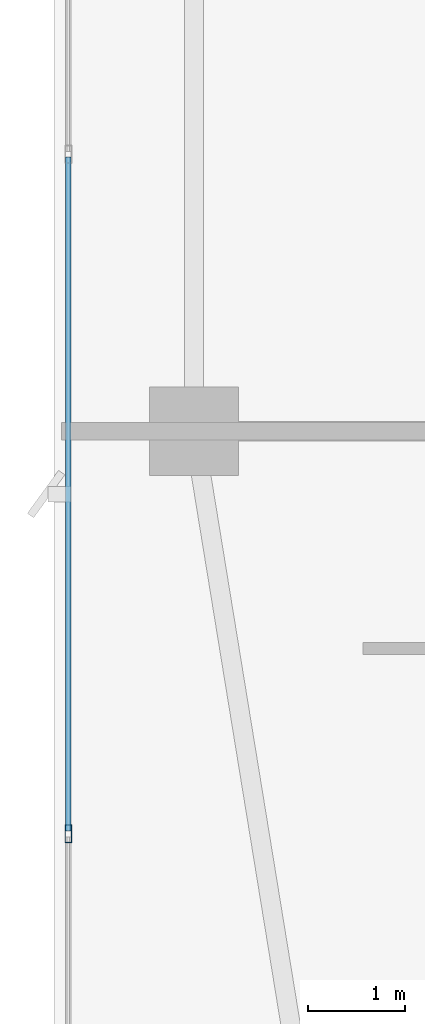
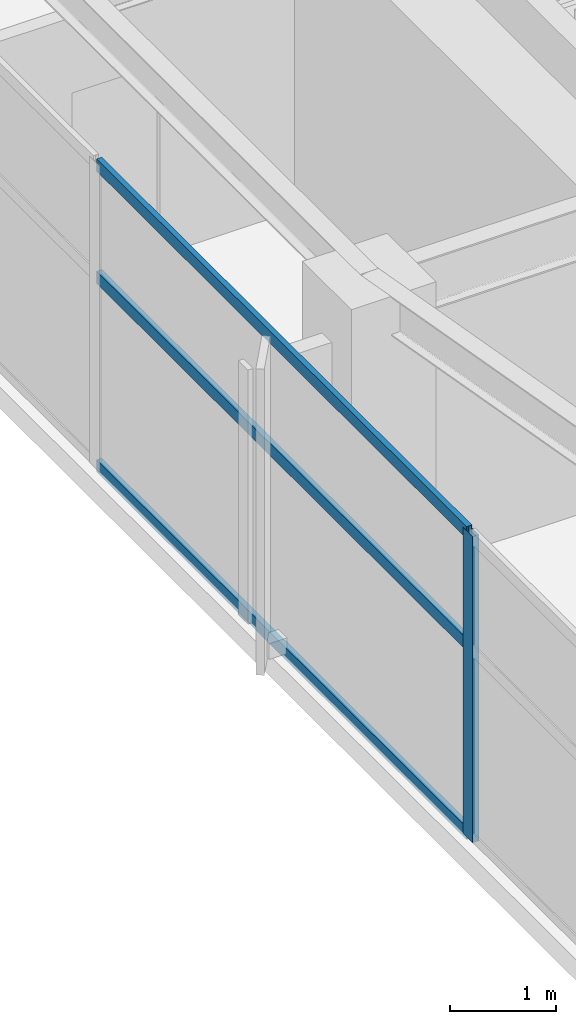
# One storey, part 4 of 27: 4 members, 1 element without a shape of its own.
"""IFC4 building model written with IfcOpenShell, lengths in metres."""

from ifc_helpers import new_model, si_unit, direction, frame, origin, origin_2d, place, context, subcontext, project, spatial, hollow_rectangle, extrude, material, layer, layer_set, material_profile, profile_set, type_object, element, aggregate, save


model = new_model("IFC4")

# Units and contexts
model_context = context("Model", 3, precision=1e-05, world=origin(), true_north=direction((0.0, 1.0)))
body_context = subcontext(model_context, "Body", "Model", "MODEL_VIEW")
ifc_project = project(units=[si_unit("LENGTHUNIT", "METRE"), si_unit("AREAUNIT", "SQUARE_METRE"), si_unit("VOLUMEUNIT", "CUBIC_METRE"), si_unit("PLANEANGLEUNIT", "RADIAN"), si_unit("MASSUNIT", "GRAM", prefix="KILO")], contexts=[model_context])

# Site, building, storey
site_placement = place(None, origin())
site = spatial("IfcSite", under=ifc_project, at=site_placement, CompositionType="ELEMENT")
building_placement = place(site_placement, origin())
building = spatial("IfcBuilding", under=site, at=building_placement, Name="Calvorn Quay Hotel", CompositionType="ELEMENT")
storey_placement = place(building_placement, frame((0.0, 0.0, 230.699951171875)))
storey = spatial("IfcBuildingStorey", under=building, at=storey_placement, Name="L57", CompositionType="ELEMENT", Elevation=230.699951171875)

# Curtain wall, members
ifc_material_1 = material(Name="Champagne Bronze Anodised Aluminium and Low-E Glass", Category="aluminium")
ifc_layer = layer(ifc_material_1, 0.219970703125)
ifc_layer_set = layer_set([ifc_layer], Name="CW-SYS-Z3")
curtain_wall_type = type_object("IfcCurtainWallType", Name="CW-SYS-Z3", PredefinedType="NOTDEFINED", material=ifc_layer_set)
curtain_wall_placement = place(storey_placement, origin())
curtain_wall = element("IfcCurtainWall", 1, at=curtain_wall_placement, inside=storey, type_object=curtain_wall_type, Name="Tower West Curtain Wall (L57)", PredefinedType="NOTDEFINED")
ifc_material_2 = material(Name="Champagne Bronze Anodised Aluminium 6063-T6", Category="aluminium")
ifc_material_profile_1 = material_profile(ifc_material_2, hollow_rectangle(XDim=0.068115234375, YDim=0.18505859375, WallThickness=0.00390625, at=origin_2d()), Name="ALU-M185x68x4")
ifc_profile_set_1 = profile_set([ifc_material_profile_1], Name="Champagne Bronze Anodised Aluminium 6063-T6")
member_type_1 = type_object("IfcMemberType", Name="CW-SYS-Z3-MUL", PredefinedType="MULLION", material=ifc_profile_set_1)
member_1_placement = place(storey_placement, frame((0.14990234375, 12.63330078125, 0.0), z_axis=(0.0, 0.0, 1.0), x_axis=(-1.0, 0.0, 0.0)))
member_1 = element("IfcMember", 2, at=member_1_placement, type_object=member_type_1, Name="CW-L57-W mullion 2", PredefinedType="MULLION", context=body_context, shape_type="SweptSolid", body=[
    extrude(hollow_rectangle(XDim=0.068115234375, YDim=0.18505859375, WallThickness=0.00390625, at=origin_2d()), origin(), (0.0, 0.0, 1.0), 3.52001953125),
])
ifc_material_3 = material(Name="Champagne Bronze Anodised Aluminium 6063-T6", Category="aluminium")
ifc_material_profile_2 = material_profile(ifc_material_3, hollow_rectangle(XDim=0.05810546875, YDim=0.139892578125, WallThickness=0.003173828125, at=origin_2d()), Name="ALU-T140x58x3.2")
ifc_profile_set_2 = profile_set([ifc_material_profile_2], Name="Champagne Bronze Anodised Aluminium 6063-T6")
member_type_2 = type_object("IfcMemberType", Name="CW-SYS-Z3-TRN", PredefinedType="USERDEFINED", material=ifc_profile_set_2)
member_2_placement = place(storey_placement, frame((0.14990234375, 12.663330078125, 0.030029296875), z_axis=(0.0, 1.0, 0.0), x_axis=(-1.0, 0.0, 0.0)))
member_2 = element("IfcMember", 3, at=member_2_placement, type_object=member_type_2, Name="CW-L57-W transom 2.1", ObjectType="TRANSOM", PredefinedType="USERDEFINED", context=body_context, shape_type="SweptSolid", body=[
    extrude(hollow_rectangle(XDim=0.05810546875, YDim=0.139892578125, WallThickness=0.003173828125, at=origin_2d()), origin(), (0.0, 0.0, 1.0), 6.973388671875),
])
member_3_placement = place(storey_placement, frame((0.14990234375, 12.663330078125, 2.199951171875), z_axis=(0.0, 1.0, 0.0), x_axis=(-1.0, 0.0, 0.0)))
member_3 = element("IfcMember", 4, at=member_3_placement, type_object=member_type_2, Name="CW-L57-W transom 2.2", ObjectType="TRANSOM", PredefinedType="USERDEFINED", context=body_context, shape_type="SweptSolid", body=[
    extrude(hollow_rectangle(XDim=0.05810546875, YDim=0.139892578125, WallThickness=0.003173828125, at=origin_2d()), origin(), (0.0, 0.0, 1.0), 6.973388671875),
])
member_4_placement = place(storey_placement, frame((0.14990234375, 12.663330078125, 3.489990234375), z_axis=(0.0, 1.0, 0.0), x_axis=(-1.0, 0.0, 0.0)))
member_4 = element("IfcMember", 5, at=member_4_placement, type_object=member_type_2, Name="CW-L57-W transom 2.3", ObjectType="TRANSOM", PredefinedType="USERDEFINED", context=body_context, shape_type="SweptSolid", body=[
    extrude(hollow_rectangle(XDim=0.05810546875, YDim=0.139892578125, WallThickness=0.003173828125, at=origin_2d()), origin(), (0.0, 0.0, 1.0), 6.973388671875),
])
aggregate(curtain_wall, [member_1, member_2, member_3, member_4])

save(model, "model.ifc")
